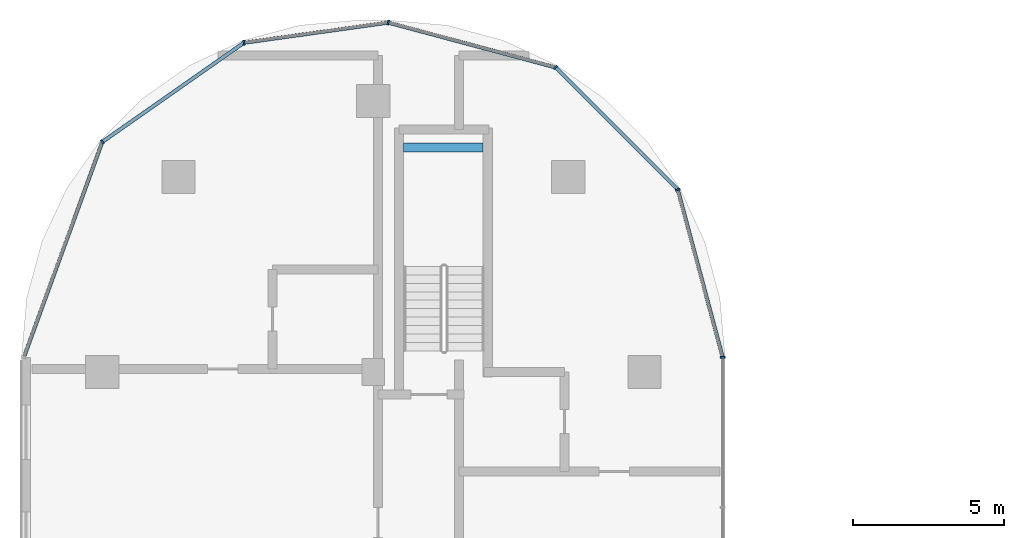
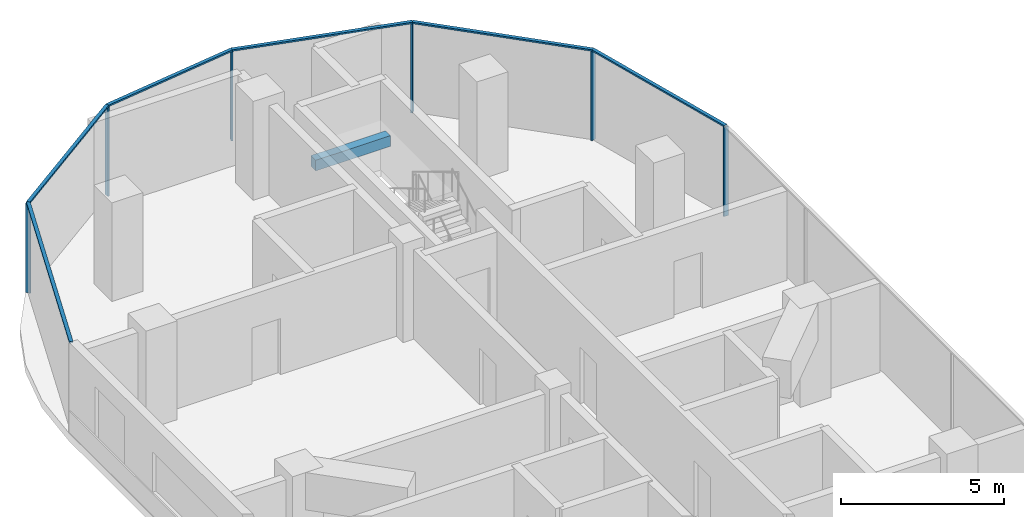
# One storey, part 7 of 23: 12 members, 1 beam, 2 elements without a shape of their own.
"""IFC4 building model written with IfcOpenShell, lengths in metres."""

from ifc_helpers import new_model, si_unit, direction, frame, origin, origin_2d, place, context, subcontext, project, spatial, rectangle, extrude, material, material_profile, profile_set, type_object, element, aggregate, save


model = new_model("IFC4")

# Units and contexts
model_context = context("Model", 3, precision=1e-05, world=origin(), true_north=direction((0.0, 1.0)))
body_context = subcontext(model_context, "Body", "Model", "MODEL_VIEW")
ifc_project = project(units=[si_unit("LENGTHUNIT", "METRE"), si_unit("AREAUNIT", "SQUARE_METRE"), si_unit("VOLUMEUNIT", "CUBIC_METRE"), si_unit("PLANEANGLEUNIT", "RADIAN"), si_unit("MASSUNIT", "GRAM", prefix="KILO")], contexts=[model_context])

# Site, building, storey
site_placement = place(None, origin())
site = spatial("IfcSite", under=ifc_project, at=site_placement, CompositionType="ELEMENT")
building_placement = place(site_placement, origin())
building = spatial("IfcBuilding", under=site, at=building_placement, Name="Ogive Portal Towers", CompositionType="ELEMENT")
storey_placement = place(building_placement, frame((0.0, 0.0, 186.60009765625)))
storey = spatial("IfcBuildingStorey", under=building, at=storey_placement, Name="L46", CompositionType="ELEMENT", Elevation=186.60009765625)

# Beam
ifc_material_1 = material(Name="Concrete C40/50", Category="concrete")
ifc_material_profile_1 = material_profile(ifc_material_1, rectangle(XDim=0.300048828125, YDim=0.39990234375, at=origin_2d()), Name="RC 300x400")
ifc_profile_set_1 = profile_set([ifc_material_profile_1], Name="Concrete C40/50")
beam_type = type_object("IfcBeamType", Name="BEAM RC 300x400", PredefinedType="BEAM", material=ifc_profile_set_1)
beam_placement = place(storey_placement, frame((41.5, 73.949951171875, 1.449951171875), z_axis=(1.0, 0.0, 0.0), x_axis=(0.0, 1.0, 0.0)))
element("IfcBeam", 1, at=beam_placement, inside=storey, type_object=beam_type, Name="Landing beam L46", PredefinedType="BEAM", context=body_context, shape_type="SweptSolid", body=[
    extrude(rectangle(XDim=0.300048828125, YDim=0.39990234375, at=origin_2d()), origin(), (0.0, 0.0, 1.0), 2.64990234375),
])

# Curtain wall, member
ifc_material_2 = material(Name="Glass, clear low-iron insulated glazing", Category="glass")
curtain_wall_type = type_object("IfcCurtainWallType", Name="CW FRONT RIBBON 4500", PredefinedType="NOTDEFINED", material=ifc_material_2)
curtain_wall_1_placement = place(storey_placement, origin())
curtain_wall_1 = element("IfcCurtainWall", 2, at=curtain_wall_1_placement, inside=storey, type_object=curtain_wall_type, Name="A:L46:f20:cw0", PredefinedType="NOTDEFINED")
ifc_material_3 = material(Name="Aluminium 6063 anodised", Category="aluminium")
ifc_material_profile_2 = material_profile(ifc_material_3, rectangle(XDim=0.159912109375, YDim=0.06005859375, at=origin_2d()), Name="AL 60x160")
ifc_profile_set_2 = profile_set([ifc_material_profile_2], Name="Aluminium 6063 anodised")
member_type_1 = type_object("IfcMemberType", Name="CW MULLION 60x160", PredefinedType="MULLION", material=ifc_profile_set_2)
member_1_placement = place(storey_placement, frame((52.10009765625, 66.989501953125, 0.0), z_axis=(0.0, 0.0, 1.0), x_axis=(-1.0, 0.0, 0.0)))
member_1 = element("IfcMember", 3, at=member_1_placement, type_object=member_type_1, Name="mullion", PredefinedType="MULLION", context=body_context, shape_type="SweptSolid", body=[
    extrude(rectangle(XDim=0.159912109375, YDim=0.06005859375, at=origin_2d()), origin(), (0.0, 0.0, 1.0), 3.33984375),
])
aggregate(curtain_wall_1, [member_1])

# Curtain wall, members
curtain_wall_2_placement = place(storey_placement, origin())
curtain_wall_2 = element("IfcCurtainWall", 4, at=curtain_wall_2_placement, inside=storey, type_object=curtain_wall_type, Name="A:L46:f21:cwa", PredefinedType="NOTDEFINED")
member_2_placement = place(storey_placement, frame((50.6103515625, 72.548583984375, 0.0), z_axis=(0.0, 0.0, 1.0), x_axis=(-0.965925826289, -0.258819045103, 0.0)))
member_2 = element("IfcMember", 5, at=member_2_placement, type_object=member_type_1, Name="mullion", PredefinedType="MULLION", context=body_context, shape_type="SweptSolid", body=[
    extrude(rectangle(XDim=0.159912109375, YDim=0.06005859375, at=origin_2d()), origin(), (0.0, 0.0, 1.0), 3.33984375),
])
member_3_placement = place(storey_placement, frame((46.548583984375, 76.6103515625, 0.0), z_axis=(0.0, 0.0, 1.0), x_axis=(-0.707106781187, -0.707106781187, 0.0)))
member_3 = element("IfcMember", 6, at=member_3_placement, type_object=member_type_1, Name="mullion", PredefinedType="MULLION", context=body_context, shape_type="SweptSolid", body=[
    extrude(rectangle(XDim=0.159912109375, YDim=0.06005859375, at=origin_2d()), origin(), (0.0, 0.0, 1.0), 3.33984375),
])
member_4_placement = place(storey_placement, frame((40.994873046875, 78.0986328125, 0.0), z_axis=(0.0, 0.0, 1.0), x_axis=(-0.258819045103, -0.965925826289, 0.0)))
member_4 = element("IfcMember", 7, at=member_4_placement, type_object=member_type_1, Name="mullion", PredefinedType="MULLION", context=body_context, shape_type="SweptSolid", body=[
    extrude(rectangle(XDim=0.159912109375, YDim=0.06005859375, at=origin_2d()), origin(), (0.0, 0.0, 1.0), 3.33984375),
])
member_5_placement = place(storey_placement, frame((36.206298828125, 77.42919921875, 0.0), z_axis=(0.0, 0.0, 1.0), x_axis=(0.13842766445, -0.990372546931, 0.0)))
member_5 = element("IfcMember", 8, at=member_5_placement, type_object=member_type_1, Name="mullion", PredefinedType="MULLION", context=body_context, shape_type="SweptSolid", body=[
    extrude(rectangle(XDim=0.159912109375, YDim=0.06005859375, at=origin_2d()), origin(), (0.0, 0.0, 1.0), 3.33984375),
])
member_6_placement = place(storey_placement, frame((31.502197265625, 74.13525390625, 0.0), z_axis=(0.0, 0.0, 1.0), x_axis=(0.573576436351, -0.819152044289, 0.0)))
member_6 = element("IfcMember", 9, at=member_6_placement, type_object=member_type_1, Name="mullion", PredefinedType="MULLION", context=body_context, shape_type="SweptSolid", body=[
    extrude(rectangle(XDim=0.159912109375, YDim=0.06005859375, at=origin_2d()), origin(), (0.0, 0.0, 1.0), 3.33984375),
])
ifc_material_profile_3 = material_profile(ifc_material_3, rectangle(XDim=0.1201171875, YDim=0.06005859375, at=origin_2d()), Name="AL 120x60")
ifc_profile_set_3 = profile_set([ifc_material_profile_3], Name="Aluminium 6063 anodised")
member_type_2 = type_object("IfcMemberType", Name="CW TRANSOM 60x120", PredefinedType="USERDEFINED", material=ifc_profile_set_3)
member_7_placement = place(storey_placement, frame((52.10009765625, 66.989501953125, 3.369873046875), z_axis=(-0.258850584986, 0.965917374651, 0.0), x_axis=(-0.965917374651, -0.258850584986, 0.0)))
member_7 = element("IfcMember", 10, at=member_7_placement, type_object=member_type_2, Name="transom", ObjectType="TRANSOM", PredefinedType="USERDEFINED", context=body_context, shape_type="SweptSolid", body=[
    extrude(rectangle(XDim=0.1201171875, YDim=0.06005859375, at=origin_2d()), origin(), (0.0, 0.0, 1.0), 5.755126953125),
])
member_8_placement = place(storey_placement, frame((50.6103515625, 72.548583984375, 3.369873046875), z_axis=(-0.707106781187, 0.707106781187, 0.0), x_axis=(-0.707106781187, -0.707106781187, 0.0)))
member_8 = element("IfcMember", 11, at=member_8_placement, type_object=member_type_2, Name="transom", ObjectType="TRANSOM", PredefinedType="USERDEFINED", context=body_context, shape_type="SweptSolid", body=[
    extrude(rectangle(XDim=0.1201171875, YDim=0.06005859375, at=origin_2d()), origin(), (0.0, 0.0, 1.0), 5.744140625),
])
member_9_placement = place(storey_placement, frame((46.548583984375, 76.6103515625, 3.369873046875), z_axis=(-0.965918482464, 0.258846451077, 0.0), x_axis=(-0.258846451077, -0.965918482464, 0.0)))
member_9 = element("IfcMember", 12, at=member_9_placement, type_object=member_type_2, Name="transom", ObjectType="TRANSOM", PredefinedType="USERDEFINED", context=body_context, shape_type="SweptSolid", body=[
    extrude(rectangle(XDim=0.1201171875, YDim=0.06005859375, at=origin_2d()), origin(), (0.0, 0.0, 1.0), 5.749755859375),
])
member_10_placement = place(storey_placement, frame((40.994873046875, 78.0986328125, 3.369873046875), z_axis=(-0.99036918244, -0.138451733367, 0.0), x_axis=(0.138451733367, -0.99036918244, 0.0)))
member_10 = element("IfcMember", 13, at=member_10_placement, type_object=member_type_2, Name="transom", ObjectType="TRANSOM", PredefinedType="USERDEFINED", context=body_context, shape_type="SweptSolid", body=[
    extrude(rectangle(XDim=0.1201171875, YDim=0.06005859375, at=origin_2d()), origin(), (0.0, 0.0, 1.0), 4.835205078125),
])
member_11_placement = place(storey_placement, frame((36.206298828125, 77.42919921875, 3.369873046875), z_axis=(-0.819144031298, -0.573587879918, 0.0), x_axis=(0.573587879918, -0.819144031298, 0.0)))
member_11 = element("IfcMember", 14, at=member_11_placement, type_object=member_type_2, Name="transom", ObjectType="TRANSOM", PredefinedType="USERDEFINED", context=body_context, shape_type="SweptSolid", body=[
    extrude(rectangle(XDim=0.1201171875, YDim=0.06005859375, at=origin_2d()), origin(), (0.0, 0.0, 1.0), 5.74267578125),
])
member_12_placement = place(storey_placement, frame((31.502197265625, 74.13525390625, 3.369873046875), z_axis=(-0.342034187854, -0.939687508877, 0.0), x_axis=(0.939687508877, -0.342034187854, 0.0)))
member_12 = element("IfcMember", 15, at=member_12_placement, type_object=member_type_2, Name="transom", ObjectType="TRANSOM", PredefinedType="USERDEFINED", context=body_context, shape_type="SweptSolid", body=[
    extrude(rectangle(XDim=0.1201171875, YDim=0.06005859375, at=origin_2d()), origin(), (0.0, 0.0, 1.0), 7.6083984375),
])
aggregate(curtain_wall_2, [member_7, member_8, member_9, member_10, member_11, member_12, member_2, member_3, member_4, member_5, member_6])

save(model, "model.ifc")
